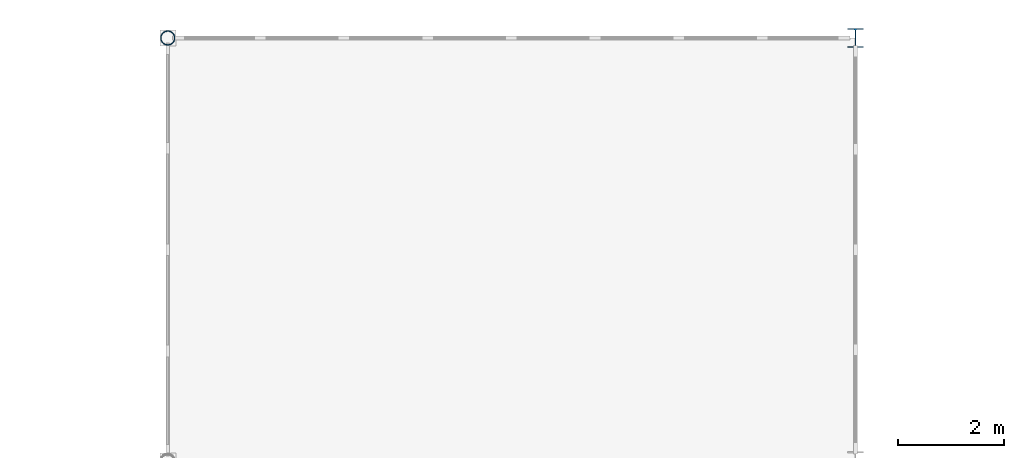
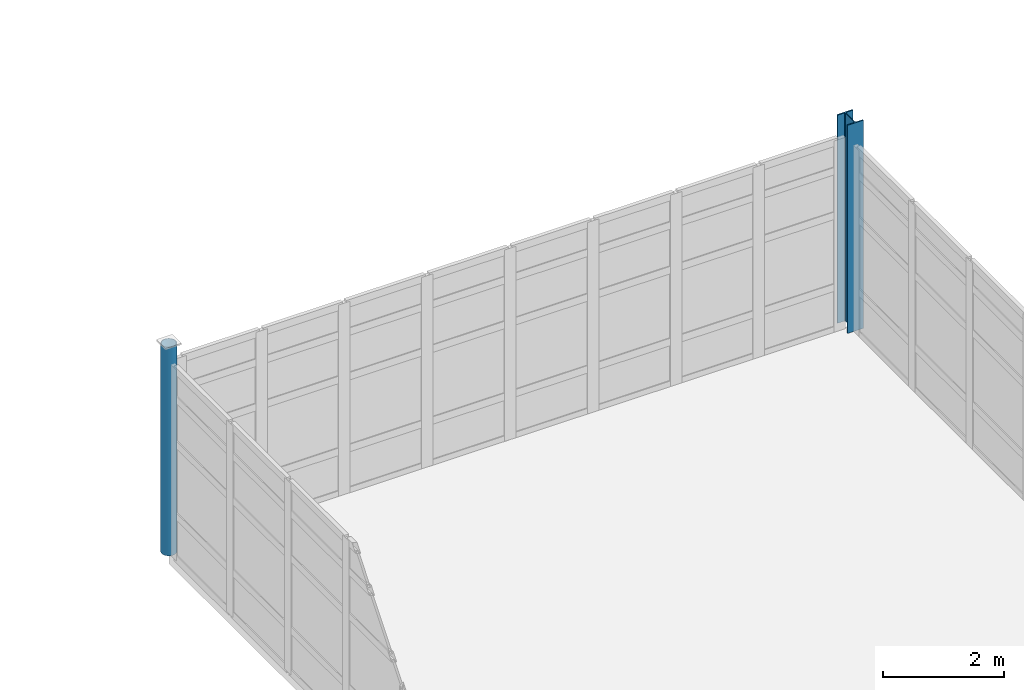
# One storey, part 13 of 122: 2 columns.
"""IFC4 building model written with IfcOpenShell, lengths in metres."""

from ifc_helpers import new_model, si_unit, direction, frame, origin, origin_2d, place, context, subcontext, project, spatial, hollow_circle, i_section, extrude, material, material_profile, profile_set, type_object, element, save


model = new_model("IFC4")

# Units and contexts
model_context = context("Model", 3, precision=1e-05, world=origin(), true_north=direction((0.0, 1.0)))
body_context = subcontext(model_context, "Body", "Model", "MODEL_VIEW")
ifc_project = project(units=[si_unit("LENGTHUNIT", "METRE"), si_unit("AREAUNIT", "SQUARE_METRE"), si_unit("VOLUMEUNIT", "CUBIC_METRE"), si_unit("PLANEANGLEUNIT", "RADIAN"), si_unit("MASSUNIT", "GRAM", prefix="KILO"), si_unit("THERMODYNAMICTEMPERATUREUNIT", "KELVIN"), si_unit("POWERUNIT", "WATT")], contexts=[model_context])

# Site, building, storey
site_placement = place(None, origin())
site = spatial("IfcSite", under=ifc_project, at=site_placement, CompositionType="ELEMENT")
building_placement = place(site_placement, origin())
building = spatial("IfcBuilding", under=site, at=building_placement, Name="Korenveer Ferry Terminal", CompositionType="ELEMENT")
storey_placement = place(building_placement, frame((0.0, 0.0, 10.199951171875)))
storey = spatial("IfcBuildingStorey", under=building, at=storey_placement, Name="L02", CompositionType="ELEMENT", Elevation=10.199951171875)

# Columns
ifc_material = material(Name="Steel S355", Category="steel")
ifc_material_profile_1 = material_profile(ifc_material, hollow_circle(Radius=0.136474609375, WallThickness=0.012451171875, at=origin_2d()), Name="CHS 273x12.5")
ifc_profile_set_1 = profile_set([ifc_material_profile_1], Name="Steel S355")
column_type_1 = type_object("IfcColumnType", Name="STR-COL-CHS273", PredefinedType="COLUMN", material=ifc_profile_set_1)
column_1_placement = place(storey_placement, frame((40.0, 116.0, 0.0), z_axis=(0.0, 0.0, 1.0), x_axis=(1.0, 0.0, 0.0)))
element("IfcColumn", 1, at=column_1_placement, inside=storey, type_object=column_type_1, Name="Column COL-L02-X40-Y116", PredefinedType="COLUMN", context=body_context, shape_type="SweptSolid", body=[
    extrude(hollow_circle(Radius=0.136474609375, WallThickness=0.012451171875, at=origin_2d()), origin(), (0.0, 0.0, 1.0), 4.199951171875),
])
ifc_material_profile_2 = material_profile(ifc_material, i_section(OverallWidth=0.300048828125, OverallDepth=0.360107421875, WebThickness=0.012451171875, FlangeThickness=0.0224609375, FilletRadius=0.027099609375, at=origin_2d()), Name="HEB 360")
ifc_profile_set_2 = profile_set([ifc_material_profile_2], Name="Steel S355")
column_type_2 = type_object("IfcColumnType", Name="STR-COL-HEB360", PredefinedType="COLUMN", material=ifc_profile_set_2)
column_2_placement = place(storey_placement, frame((53.0, 116.0, 0.0), z_axis=(0.0, 0.0, 1.0), x_axis=(1.0, 0.0, 0.0)))
element("IfcColumn", 2, at=column_2_placement, inside=storey, type_object=column_type_2, Name="Column COL-L02-X53-Y116", PredefinedType="COLUMN", context=body_context, shape_type="SweptSolid", body=[
    extrude(i_section(OverallWidth=0.300048828125, OverallDepth=0.360107421875, WebThickness=0.012451171875, FlangeThickness=0.0224609375, FilletRadius=0.027099609375, at=origin_2d()), origin(), (0.0, 0.0, 1.0), 4.199951171875),
])

save(model, "model.ifc")
